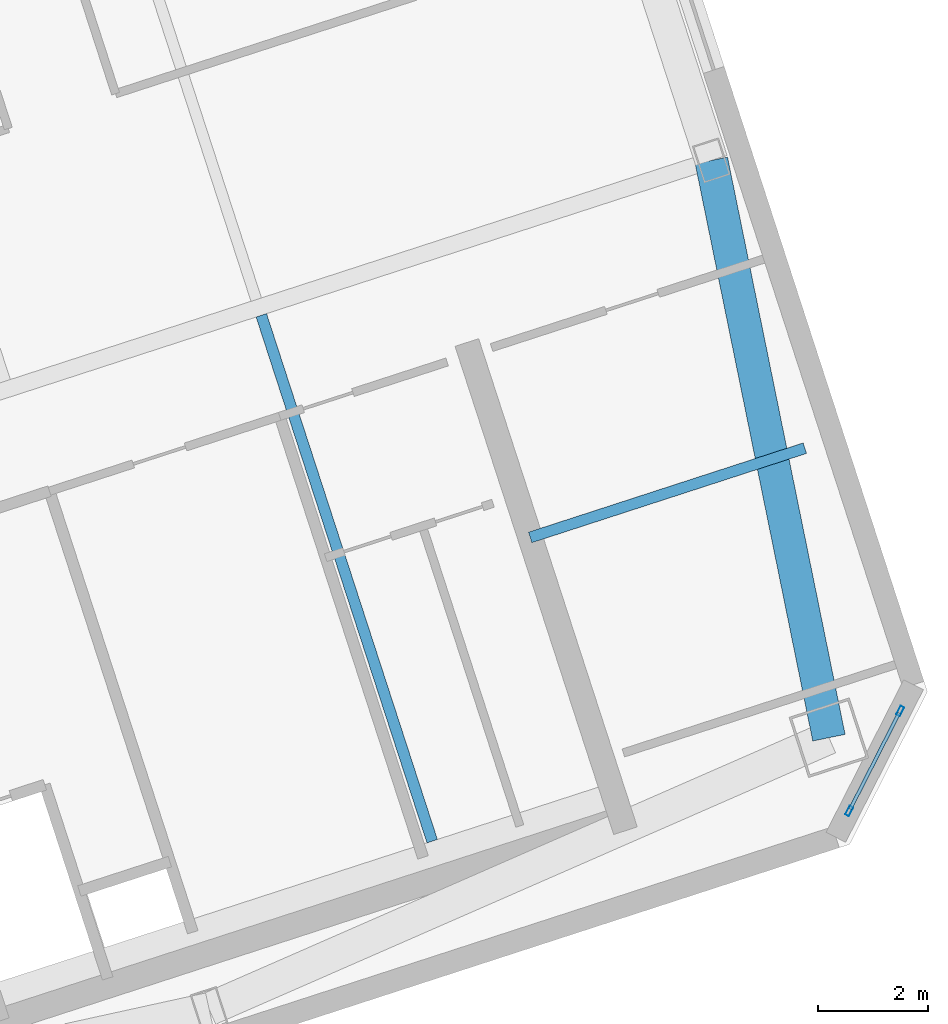
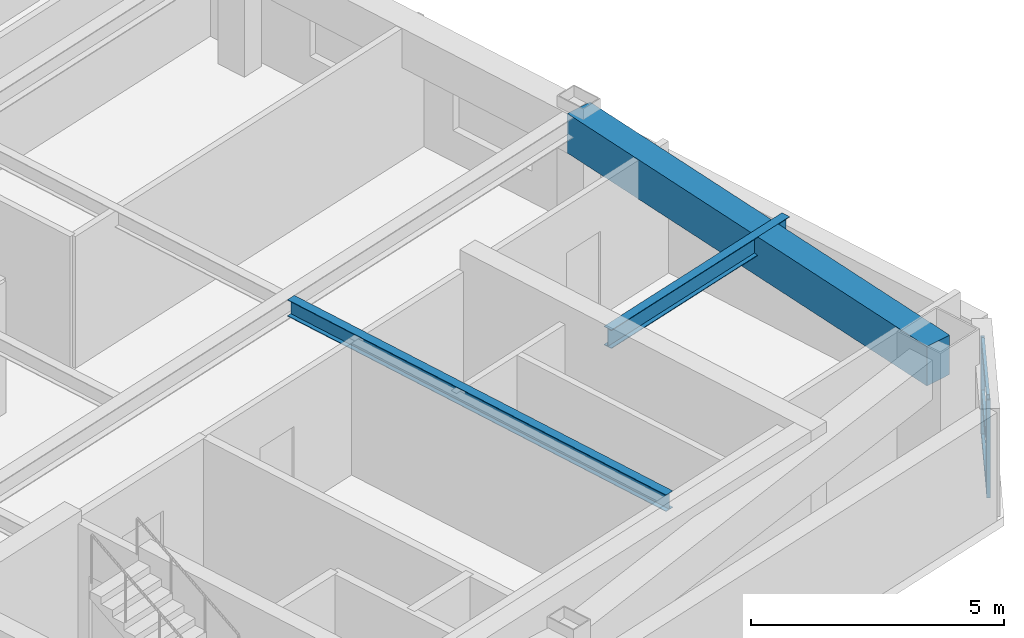
# One storey, part 10 of 20: 5 members, 3 beams, 1 element without a shape of its own.
"""IFC4 building model written with IfcOpenShell, lengths in metres."""

from ifc_helpers import new_model, si_unit, direction, frame, origin, origin_2d, place, context, subcontext, project, spatial, rectangle, hollow_rectangle, i_section, extrude, material, layer, layer_set, material_profile, profile_set, type_object, element, aggregate, save


model = new_model("IFC4")

# Units and contexts
model_context = context("Model", 3, precision=1e-05, world=origin(), true_north=direction((0.0, 1.0)))
body_context = subcontext(model_context, "Body", "Model", "MODEL_VIEW")
ifc_project = project(units=[si_unit("LENGTHUNIT", "METRE"), si_unit("AREAUNIT", "SQUARE_METRE"), si_unit("VOLUMEUNIT", "CUBIC_METRE"), si_unit("PLANEANGLEUNIT", "RADIAN"), si_unit("MASSUNIT", "GRAM", prefix="KILO")], contexts=[model_context])

# Site, building, storey
site_placement = place(None, origin())
site = spatial("IfcSite", under=ifc_project, at=site_placement, CompositionType="ELEMENT")
building_placement = place(site_placement, origin())
building = spatial("IfcBuilding", under=site, at=building_placement, Name="Qiaolan Cultural Towers", CompositionType="ELEMENT")
storey_placement = place(building_placement, frame((0.0, 0.0, 223.10009765625)))
storey = spatial("IfcBuildingStorey", under=building, at=storey_placement, Name="L60", CompositionType="ELEMENT", Elevation=223.10009765625)

# Beams
ifc_material_1 = material(Name="Steel Q355B", Category="steel")
ifc_material_profile_1 = material_profile(ifc_material_1, i_section(OverallWidth=0.199951171875, OverallDepth=0.39990234375, WebThickness=0.008056640625, FlangeThickness=0.012939453125, at=origin_2d()), Name="HN400x200x8x13")
ifc_profile_set_1 = profile_set([ifc_material_profile_1], Name="Steel Q355B")
beam_type_1 = type_object("IfcBeamType", Name="BM-JST-HN400x200x8x13", PredefinedType="JOIST", material=ifc_profile_set_1)
beam_1_placement = place(storey_placement, frame((100.498291015625, 17.222900390625, 2.989990234375), z_axis=(-0.309025649293, 0.951053704098, 0.0), x_axis=(-0.951053704098, -0.309025649293, 0.0)))
element("IfcBeam", 1, at=beam_1_placement, inside=storey, type_object=beam_type_1, Name="L60 T2 Secondary Floor Joist U3-1", PredefinedType="JOIST", context=body_context, shape_type="SweptSolid", body=[
    extrude(i_section(OverallWidth=0.199951171875, OverallDepth=0.39990234375, WebThickness=0.008056640625, FlangeThickness=0.012939453125, at=origin_2d()), origin(), (0.0, 0.0, 1.0), 10.050048828125),
])
ifc_material_2 = material(Name="Steel Q355B", Category="steel")
ifc_material_profile_2 = material_profile(ifc_material_2, i_section(OverallWidth=0.199951171875, OverallDepth=0.449951171875, WebThickness=0.009033203125, FlangeThickness=0.013916015625, at=origin_2d()), Name="HN450x200x9x14")
ifc_profile_set_2 = profile_set([ifc_material_profile_2], Name="Steel Q355B")
beam_type_2 = type_object("IfcBeamType", Name="BM-LNT-HN450x200x9x14", PredefinedType="LINTEL", material=ifc_profile_set_2)
beam_2_placement = place(storey_placement, frame((102.279296875, 22.74365234375, 2.96484375), z_axis=(0.951060037126, 0.309006158161, 0.0), x_axis=(-0.309006158161, 0.951060037126, 0.0)))
element("IfcBeam", 2, at=beam_2_placement, inside=storey, type_object=beam_type_2, Name="L60 T2 Core Flank Tie Lintel ES", PredefinedType="LINTEL", context=body_context, shape_type="SweptSolid", body=[
    extrude(i_section(OverallWidth=0.199951171875, OverallDepth=0.449951171875, WebThickness=0.009033203125, FlangeThickness=0.013916015625, at=origin_2d()), origin(), (0.0, 0.0, 1.0), 5.25),
])
ifc_material_3 = material(Name="Concrete C50", Category="concrete")
ifc_material_profile_3 = material_profile(ifc_material_3, rectangle(XDim=0.60009765625, YDim=0.949951171875, at=origin_2d()), Name="RC600x950")
ifc_profile_set_3 = profile_set([ifc_material_profile_3], Name="Concrete C50")
beam_type_3 = type_object("IfcBeamType", Name="BM-SPD-RC600x950", PredefinedType="SPANDREL", material=ifc_profile_set_3)
beam_3_placement = place(storey_placement, frame((107.7099609375, 19.103515625, 2.71484375), z_axis=(-0.199578538116, 0.979881833245, 0.0), x_axis=(-0.979881833245, -0.199578538116, 0.0)))
element("IfcBeam", 3, at=beam_3_placement, inside=storey, type_object=beam_type_3, Name="L60 T2 Perimeter Spandrel Beam 3", PredefinedType="SPANDREL", context=body_context, shape_type="SweptSolid", body=[
    extrude(rectangle(XDim=0.60009765625, YDim=0.949951171875, at=origin_2d()), origin(), (0.0, 0.0, 1.0), 10.70849609375),
])

# Curtain wall, members
ifc_material_4 = material(Name="Unitized Anodized Aluminium Curtain Wall System", Category="aluminium")
ifc_layer = layer(ifc_material_4, 0.199951171875)
ifc_layer_set = layer_set([ifc_layer], Name="Unitized Anodized Aluminium Curtain Wall System")
curtain_wall_type = type_object("IfcCurtainWallType", Name="CWS-05", PredefinedType="NOTDEFINED", material=ifc_layer_set)
curtain_wall_placement = place(storey_placement, origin())
curtain_wall = element("IfcCurtainWall", 4, at=curtain_wall_placement, inside=storey, type_object=curtain_wall_type, Name="L60 T2 Chamfer Wind-Corner Feature Curtain Wall 2", PredefinedType="NOTDEFINED")
ifc_material_5 = material(Name="Extruded Aluminium 6063-T6", Category="aluminium")
ifc_material_profile_4 = material_profile(ifc_material_5, hollow_rectangle(XDim=0.074951171875, YDim=0.179931640625, WallThickness=0.00390625, at=origin_2d()), Name="CWM-180x75x4")
ifc_profile_set_4 = profile_set([ifc_material_profile_4], Name="Extruded Aluminium 6063-T6")
member_type_1 = type_object("IfcMemberType", Name="CWS-05-MUL", PredefinedType="MULLION", material=ifc_profile_set_4)
member_1_placement = place(storey_placement, frame((109.0048828125, 19.589111328125, 0.14990234375), z_axis=(0.0, 0.0, 1.0), x_axis=(0.89100655078, -0.45399044755, 0.0)))
member_1 = element("IfcMember", 5, at=member_1_placement, type_object=member_type_1, Name="CW-5 mullion 1", PredefinedType="MULLION", context=body_context, shape_type="SweptSolid", body=[
    extrude(hollow_rectangle(XDim=0.074951171875, YDim=0.179931640625, WallThickness=0.00390625, at=origin_2d()), origin(), (0.0, 0.0, 1.0), 2.360107421875),
])
member_2_placement = place(storey_placement, frame((108.078369140625, 17.770751953125, 0.14990234375), z_axis=(0.0, 0.0, 1.0), x_axis=(0.89100655078, -0.45399044755, 0.0)))
member_2 = element("IfcMember", 6, at=member_2_placement, type_object=member_type_1, Name="CW-5 mullion 2", PredefinedType="MULLION", context=body_context, shape_type="SweptSolid", body=[
    extrude(hollow_rectangle(XDim=0.074951171875, YDim=0.179931640625, WallThickness=0.00390625, at=origin_2d()), origin(), (0.0, 0.0, 1.0), 2.360107421875),
])
ifc_material_6 = material(Name="Extruded Aluminium 6063-T6", Category="aluminium")
ifc_material_profile_5 = material_profile(ifc_material_6, hollow_rectangle(XDim=0.06494140625, YDim=0.14990234375, WallThickness=0.00390625, at=origin_2d()), Name="CWT-150x65x4")
ifc_profile_set_5 = profile_set([ifc_material_profile_5], Name="Extruded Aluminium 6063-T6")
member_type_2 = type_object("IfcMemberType", Name="CWS-05-TRN", PredefinedType="USERDEFINED", material=ifc_profile_set_5)
member_3_placement = place(storey_placement, frame((108.98779296875, 19.5556640625, 0.182373046875), z_axis=(-0.453957410805, -0.891023383069, 0.0), x_axis=(0.891023383069, -0.453957410805, 0.0)))
member_3 = element("IfcMember", 7, at=member_3_placement, type_object=member_type_2, Name="CW-5 transom 1.1", ObjectType="TRANSOM", PredefinedType="USERDEFINED", context=body_context, shape_type="SweptSolid", body=[
    extrude(hollow_rectangle(XDim=0.06494140625, YDim=0.14990234375, WallThickness=0.00390625, at=origin_2d()), origin(), (0.0, 0.0, 1.0), 1.965576171875),
])
member_4_placement = place(storey_placement, frame((108.98779296875, 19.5556640625, 1.25), z_axis=(-0.453957410805, -0.891023383069, 0.0), x_axis=(0.891023383069, -0.453957410805, 0.0)))
member_4 = element("IfcMember", 8, at=member_4_placement, type_object=member_type_2, Name="CW-5 transom 1.2", ObjectType="TRANSOM", PredefinedType="USERDEFINED", context=body_context, shape_type="SweptSolid", body=[
    extrude(hollow_rectangle(XDim=0.06494140625, YDim=0.14990234375, WallThickness=0.00390625, at=origin_2d()), origin(), (0.0, 0.0, 1.0), 1.965576171875),
])
member_5_placement = place(storey_placement, frame((108.98779296875, 19.5556640625, 2.477294921875), z_axis=(-0.453957410805, -0.891023383069, 0.0), x_axis=(0.891023383069, -0.453957410805, 0.0)))
member_5 = element("IfcMember", 9, at=member_5_placement, type_object=member_type_2, Name="CW-5 transom 1.3", ObjectType="TRANSOM", PredefinedType="USERDEFINED", context=body_context, shape_type="SweptSolid", body=[
    extrude(hollow_rectangle(XDim=0.06494140625, YDim=0.14990234375, WallThickness=0.00390625, at=origin_2d()), origin(), (0.0, 0.0, 1.0), 1.965576171875),
])
aggregate(curtain_wall, [member_1, member_2, member_3, member_4, member_5])

save(model, "model.ifc")
